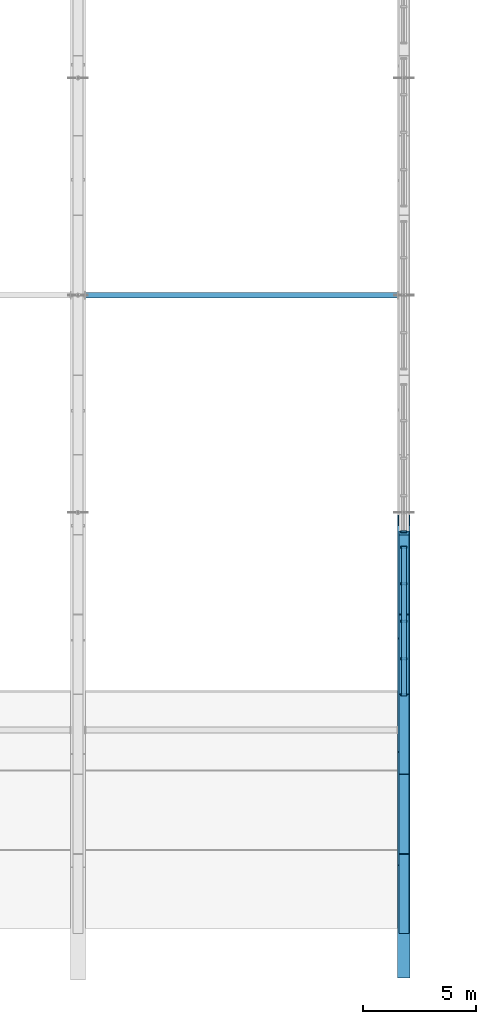
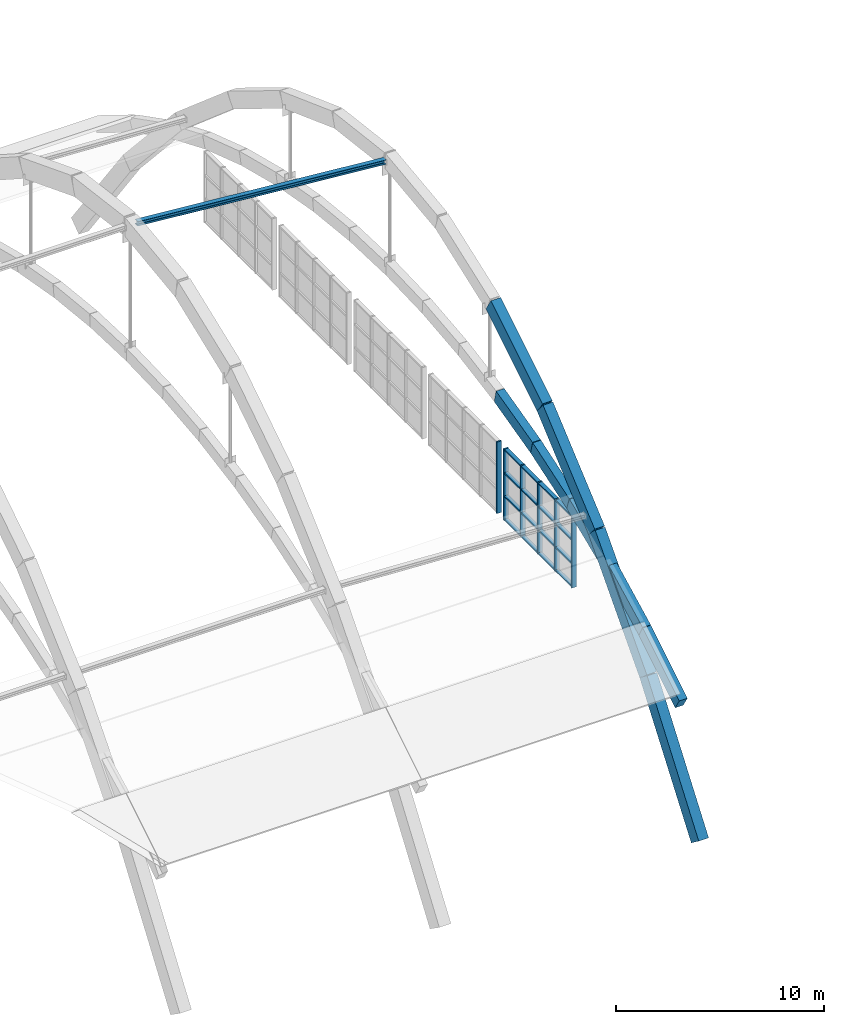
# One storey, part 23 of 64: 15 members, 5 beams, 2 elements without a shape of their own.
"""IFC4 building model written with IfcOpenShell, lengths in metres."""

from ifc_helpers import new_model, si_unit, direction, frame, origin, origin_2d, place, context, subcontext, project, spatial, rectangle, hollow_rectangle, i_section, extrude, material, material_profile, profile_set, type_object, element, aggregate, save


model = new_model("IFC4")

# Units and contexts
model_context = context("Model", 3, precision=1e-05, world=origin(), true_north=direction((0.0, 1.0)))
body_context = subcontext(model_context, "Body", "Model", "MODEL_VIEW")
ifc_project = project(units=[si_unit("LENGTHUNIT", "METRE"), si_unit("AREAUNIT", "SQUARE_METRE"), si_unit("VOLUMEUNIT", "CUBIC_METRE"), si_unit("PLANEANGLEUNIT", "RADIAN"), si_unit("MASSUNIT", "GRAM", prefix="KILO")], contexts=[model_context])

# Site, building, storey
site_placement = place(None, origin())
site = spatial("IfcSite", under=ifc_project, at=site_placement, CompositionType="ELEMENT")
building_placement = place(site_placement, origin())
building = spatial("IfcBuilding", under=site, at=building_placement, Name="Leyfeld Transit Interchange", CompositionType="ELEMENT")
storey_placement = place(building_placement, frame((0.0, 0.0, 9.60009765625)))
storey = spatial("IfcBuildingStorey", under=building, at=storey_placement, Name="L02", CompositionType="ELEMENT", Elevation=9.60009765625)

# Beams
ifc_material_1 = material(Name="Concrete C40/50", Category="concrete")
ifc_material_profile_1 = material_profile(ifc_material_1, rectangle(XDim=0.449951171875, YDim=0.75, at=origin_2d()), Name="RC 750x450 RIB")
ifc_profile_set_1 = profile_set([ifc_material_profile_1], Name="Concrete C40/50")
beam_type = type_object("IfcBeamType", Name="BM-RIB-750x450", PredefinedType="USERDEFINED", material=ifc_profile_set_1)
beam_1_placement = place(storey_placement, frame((100.800048828125, 4.39990234375, -1.135009765625), z_axis=(0.0, 0.850840137882, 0.525424647089), x_axis=(-1.0, 0.0, 0.0)))
element("IfcBeam", 1, at=beam_1_placement, inside=storey, type_object=beam_type, Name="Concourse Vault Rib A8 Seg 1", ObjectType="ARCH_RIB", PredefinedType="USERDEFINED", context=body_context, shape_type="SweptSolid", body=[
    extrude(rectangle(XDim=0.449951171875, YDim=0.75, at=origin_2d()), origin(), (0.0, 0.0, 1.0), 4.113525390625),
])
beam_2_placement = place(storey_placement, frame((100.800048828125, 7.89990234375, 1.0263671875), z_axis=(0.0, 0.890316086289, 0.455343020694), x_axis=(-1.0, 0.0, 0.0)))
element("IfcBeam", 2, at=beam_2_placement, inside=storey, type_object=beam_type, Name="Concourse Vault Rib A8 Seg 2", ObjectType="ARCH_RIB", PredefinedType="USERDEFINED", context=body_context, shape_type="SweptSolid", body=[
    extrude(rectangle(XDim=0.449951171875, YDim=0.75, at=origin_2d()), origin(), (0.0, 0.0, 1.0), 3.93115234375),
])
beam_3_placement = place(storey_placement, frame((100.800048828125, 11.39990234375, 2.81640625), z_axis=(0.0, 0.922787193718, 0.385309998716), x_axis=(-1.0, 0.0, 0.0)))
element("IfcBeam", 3, at=beam_3_placement, inside=storey, type_object=beam_type, Name="Concourse Vault Rib A8 Seg 3", ObjectType="ARCH_RIB", PredefinedType="USERDEFINED", context=body_context, shape_type="SweptSolid", body=[
    extrude(rectangle(XDim=0.449951171875, YDim=0.75, at=origin_2d()), origin(), (0.0, 0.0, 1.0), 3.79296875),
])
beam_4_placement = place(storey_placement, frame((100.800048828125, 14.89990234375, 4.27783203125), z_axis=(0.0, 0.949033570575, 0.315175002058), x_axis=(-1.0, 0.0, 0.0)))
element("IfcBeam", 4, at=beam_4_placement, inside=storey, type_object=beam_type, Name="Concourse Vault Rib A8 Seg 4", ObjectType="ARCH_RIB", PredefinedType="USERDEFINED", context=body_context, shape_type="SweptSolid", body=[
    extrude(rectangle(XDim=0.449951171875, YDim=0.75, at=origin_2d()), origin(), (0.0, 0.0, 1.0), 3.68798828125),
])
beam_5_placement = place(storey_placement, frame((100.800048828125, 18.39990234375, 5.440185546875), z_axis=(0.0, 0.969486598247, 0.245144316312), x_axis=(-1.0, 0.0, 0.0)))
element("IfcBeam", 5, at=beam_5_placement, inside=storey, type_object=beam_type, Name="Concourse Vault Rib A8 Seg 5", ObjectType="ARCH_RIB", PredefinedType="USERDEFINED", context=body_context, shape_type="SweptSolid", body=[
    extrude(rectangle(XDim=0.449951171875, YDim=0.75, at=origin_2d()), origin(), (0.0, 0.0, 1.0), 3.610107421875),
])

# Curtain wall, members
ifc_material_2 = material(Name="Anodised aluminium EN AW-6060 T66", Category="aluminium")
curtain_wall_type = type_object("IfcCurtainWallType", Name="CW-SYS-GAB-7200", PredefinedType="NOTDEFINED", material=ifc_material_2)
curtain_wall_1_placement = place(storey_placement, origin())
curtain_wall_1 = element("IfcCurtainWall", 6, at=curtain_wall_1_placement, inside=storey, type_object=curtain_wall_type, Name="Curtain Wall CW-L02-GABE-01", PredefinedType="NOTDEFINED")
ifc_material_profile_2 = material_profile(ifc_material_2, rectangle(XDim=0.0849609375, YDim=0.260009765625, at=origin_2d()), Name="CW-M 85x260")
ifc_profile_set_2 = profile_set([ifc_material_profile_2], Name="Anodised aluminium EN AW-6060 T66")
member_type_1 = type_object("IfcMemberType", Name="CW-MUL-220x80", PredefinedType="MULLION", material=ifc_profile_set_2)
member_1_placement = place(storey_placement, frame((100.800048828125, 14.742431640625, -0.60009765625), z_axis=(0.0, 0.0, 1.0), x_axis=(0.0, 1.0, 0.0)))
member_1 = element("IfcMember", 7, at=member_1_placement, type_object=member_type_1, Name="Curtain Mullion CW-L02-GABE-01-M01", PredefinedType="MULLION", context=body_context, shape_type="SweptSolid", body=[
    extrude(rectangle(XDim=0.0849609375, YDim=0.260009765625, at=origin_2d()), origin(), (0.0, 0.0, 1.0), 4.199951171875),
])
member_2_placement = place(storey_placement, frame((100.800048828125, 16.35009765625, -0.60009765625), z_axis=(0.0, 0.0, 1.0), x_axis=(0.0, 1.0, 0.0)))
member_2 = element("IfcMember", 8, at=member_2_placement, type_object=member_type_1, Name="Curtain Mullion CW-L02-GABE-01-M02", PredefinedType="MULLION", context=body_context, shape_type="SweptSolid", body=[
    extrude(rectangle(XDim=0.0849609375, YDim=0.260009765625, at=origin_2d()), origin(), (0.0, 0.0, 1.0), 4.199951171875),
])
member_3_placement = place(storey_placement, frame((100.800048828125, 18.0, -0.60009765625), z_axis=(0.0, 0.0, 1.0), x_axis=(0.0, 1.0, 0.0)))
member_3 = element("IfcMember", 9, at=member_3_placement, type_object=member_type_1, Name="Curtain Mullion CW-L02-GABE-01-M03", PredefinedType="MULLION", context=body_context, shape_type="SweptSolid", body=[
    extrude(rectangle(XDim=0.0849609375, YDim=0.260009765625, at=origin_2d()), origin(), (0.0, 0.0, 1.0), 4.199951171875),
])
member_4_placement = place(storey_placement, frame((100.800048828125, 19.64990234375, -0.60009765625), z_axis=(0.0, 0.0, 1.0), x_axis=(0.0, 1.0, 0.0)))
member_4 = element("IfcMember", 10, at=member_4_placement, type_object=member_type_1, Name="Curtain Mullion CW-L02-GABE-01-M04", PredefinedType="MULLION", context=body_context, shape_type="SweptSolid", body=[
    extrude(rectangle(XDim=0.0849609375, YDim=0.260009765625, at=origin_2d()), origin(), (0.0, 0.0, 1.0), 4.199951171875),
])
member_5_placement = place(storey_placement, frame((100.800048828125, 21.257568359375, -0.60009765625), z_axis=(0.0, 0.0, 1.0), x_axis=(0.0, 1.0, 0.0)))
member_5 = element("IfcMember", 11, at=member_5_placement, type_object=member_type_1, Name="Curtain Mullion CW-L02-GABE-01-M05", PredefinedType="MULLION", context=body_context, shape_type="SweptSolid", body=[
    extrude(rectangle(XDim=0.0849609375, YDim=0.260009765625, at=origin_2d()), origin(), (0.0, 0.0, 1.0), 4.199951171875),
])

# Curtain wall, member
curtain_wall_2_placement = place(storey_placement, origin())
curtain_wall_2 = element("IfcCurtainWall", 12, at=curtain_wall_2_placement, inside=storey, type_object=curtain_wall_type, Name="Curtain Wall CW-L02-GABE-02", PredefinedType="NOTDEFINED")
member_6_placement = place(storey_placement, frame((100.800048828125, 21.9423828125, -0.60009765625), z_axis=(0.0, 0.0, 1.0), x_axis=(0.0, 1.0, 0.0)))
member_6 = element("IfcMember", 13, at=member_6_placement, type_object=member_type_1, Name="Curtain Mullion CW-L02-GABE-02-M01", PredefinedType="MULLION", context=body_context, shape_type="SweptSolid", body=[
    extrude(rectangle(XDim=0.0849609375, YDim=0.260009765625, at=origin_2d()), origin(), (0.0, 0.0, 1.0), 4.199951171875),
])
aggregate(curtain_wall_2, [member_6])

# Member
ifc_material_profile_3 = material_profile(ifc_material_2, rectangle(XDim=0.2099609375, YDim=0.0849609375, at=origin_2d()), Name="CW-TRN-200x80")
ifc_profile_set_3 = profile_set([ifc_material_profile_3], Name="Anodised aluminium EN AW-6060 T66")
member_type_2 = type_object("IfcMemberType", Name="CW-TRN-200x80", PredefinedType="USERDEFINED", material=ifc_profile_set_3)
member_7_placement = place(storey_placement, frame((100.800048828125, 14.699951171875, -0.5576171875), z_axis=(0.0, 1.0, 0.0), x_axis=(-1.0, 0.0, 0.0)))
member_7 = element("IfcMember", 14, at=member_7_placement, type_object=member_type_2, Name="Curtain Transom CW-L02-GABE-01-T01", ObjectType="TRANSOM", PredefinedType="USERDEFINED", context=body_context, shape_type="SweptSolid", body=[
    extrude(rectangle(XDim=0.2099609375, YDim=0.0849609375, at=origin_2d()), origin(), (0.0, 0.0, 1.0), 6.60009765625),
])

member_8_placement = place(storey_placement, frame((100.800048828125, 14.699951171875, 0.814208984375), z_axis=(0.0, 1.0, 0.0), x_axis=(-1.0, 0.0, 0.0)))
member_8 = element("IfcMember", 15, at=member_8_placement, type_object=member_type_2, Name="Curtain Transom CW-L02-GABE-01-T02", ObjectType="TRANSOM", PredefinedType="USERDEFINED", context=body_context, shape_type="SweptSolid", body=[
    extrude(rectangle(XDim=0.2099609375, YDim=0.0849609375, at=origin_2d()), origin(), (0.0, 0.0, 1.0), 6.60009765625),
])

member_9_placement = place(storey_placement, frame((100.800048828125, 14.699951171875, 2.185791015625), z_axis=(0.0, 1.0, 0.0), x_axis=(-1.0, 0.0, 0.0)))
member_9 = element("IfcMember", 16, at=member_9_placement, type_object=member_type_2, Name="Curtain Transom CW-L02-GABE-01-T03", ObjectType="TRANSOM", PredefinedType="USERDEFINED", context=body_context, shape_type="SweptSolid", body=[
    extrude(rectangle(XDim=0.2099609375, YDim=0.0849609375, at=origin_2d()), origin(), (0.0, 0.0, 1.0), 6.60009765625),
])

member_10_placement = place(storey_placement, frame((100.800048828125, 14.699951171875, 3.557373046875), z_axis=(0.0, 1.0, 0.0), x_axis=(-1.0, 0.0, 0.0)))
member_10 = element("IfcMember", 17, at=member_10_placement, type_object=member_type_2, Name="Curtain Transom CW-L02-GABE-01-T04", ObjectType="TRANSOM", PredefinedType="USERDEFINED", context=body_context, shape_type="SweptSolid", body=[
    extrude(rectangle(XDim=0.2099609375, YDim=0.0849609375, at=origin_2d()), origin(), (0.0, 0.0, 1.0), 6.60009765625),
])

aggregate(curtain_wall_1, [member_1, member_2, member_3, member_4, member_5, member_7, member_8, member_9, member_10])

# Members
ifc_material_3 = material(Name="Steel S355J2 - Ochre Arch", Category="steel")
ifc_material_profile_4 = material_profile(ifc_material_3, hollow_rectangle(XDim=0.550048828125, YDim=0.89990234375, WallThickness=0.031982421875, at=origin_2d()), Name="RHS 900x550x32")
ifc_profile_set_4 = profile_set([ifc_material_profile_4], Name="Steel S355J2 - Ochre Arch")
member_type_3 = type_object("IfcMemberType", Name="MEM-ARCH-900", PredefinedType="USERDEFINED", material=ifc_profile_set_4)
member_11_placement = place(storey_placement, frame((100.800048828125, 2.60009765625, -8.10009765625), z_axis=(0.0, 0.595984669324, 0.802995811901), x_axis=(-1.0, 0.0, 0.0)))
element("IfcMember", 18, at=member_11_placement, inside=storey, type_object=member_type_3, Name="Primary Steel Arch GP-E Seg 1", ObjectType="ARCH_SEGMENT", PredefinedType="USERDEFINED", context=body_context, shape_type="SweptSolid", body=[
    extrude(hollow_rectangle(XDim=0.550048828125, YDim=0.89990234375, WallThickness=0.031982421875, at=origin_2d()), origin(), (0.0, 0.0, 1.0), 8.333251953125),
])
member_12_placement = place(storey_placement, frame((100.800048828125, 7.566650390625, -1.408447265625), z_axis=(0.0, 0.671888263197, 0.740652524318), x_axis=(-1.0, 0.0, 0.0)))
element("IfcMember", 19, at=member_12_placement, inside=storey, type_object=member_type_3, Name="Primary Steel Arch GP-E Seg 2", ObjectType="ARCH_SEGMENT", PredefinedType="USERDEFINED", context=body_context, shape_type="SweptSolid", body=[
    extrude(hollow_rectangle(XDim=0.550048828125, YDim=0.89990234375, WallThickness=0.031982421875, at=origin_2d()), origin(), (0.0, 0.0, 1.0), 7.391845703125),
])
member_13_placement = place(storey_placement, frame((100.800048828125, 12.533203125, 4.06640625), z_axis=(0.0, 0.759159132928, 0.650905070569), x_axis=(-1.0, 0.0, 0.0)))
element("IfcMember", 20, at=member_13_placement, inside=storey, type_object=member_type_3, Name="Primary Steel Arch GP-E Seg 3", ObjectType="ARCH_SEGMENT", PredefinedType="USERDEFINED", context=body_context, shape_type="SweptSolid", body=[
    extrude(hollow_rectangle(XDim=0.550048828125, YDim=0.89990234375, WallThickness=0.031982421875, at=origin_2d()), origin(), (0.0, 0.0, 1.0), 6.54248046875),
])
member_14_placement = place(storey_placement, frame((100.800048828125, 17.5, 8.324951171875), z_axis=(0.0, 0.852786153257, 0.522260257738), x_axis=(-1.0, 0.0, 0.0)))
element("IfcMember", 21, at=member_14_placement, inside=storey, type_object=member_type_3, Name="Primary Steel Arch GP-E Seg 4", ObjectType="ARCH_SEGMENT", PredefinedType="USERDEFINED", context=body_context, shape_type="SweptSolid", body=[
    extrude(hollow_rectangle(XDim=0.550048828125, YDim=0.89990234375, WallThickness=0.031982421875, at=origin_2d()), origin(), (0.0, 0.0, 1.0), 5.82421875),
])
ifc_material_4 = material(Name="Steel S355J2", Category="steel")
ifc_material_profile_5 = material_profile(ifc_material_4, i_section(OverallWidth=0.260009765625, OverallDepth=0.260009765625, WebThickness=0.010009765625, FlangeThickness=0.017578125, FilletRadius=0.02392578125, at=origin_2d()), Name="HEB 260")
ifc_profile_set_5 = profile_set([ifc_material_profile_5], Name="Steel S355J2")
member_type_4 = type_object("IfcMemberType", Name="MEM-CHD-HEB260", PredefinedType="CHORD", material=ifc_profile_set_5)
member_15_placement = place(storey_placement, frame((86.72509765625, 32.39990234375, 15.0), z_axis=(0.996239265373, 0.0, -0.086644827482), x_axis=(0.0, 1.0, 0.0)))
element("IfcMember", 22, at=member_15_placement, inside=storey, type_object=member_type_4, Name="Arch Longitudinal Tie Chord B7 T2", PredefinedType="CHORD", context=body_context, shape_type="SweptSolid", body=[
    extrude(i_section(OverallWidth=0.260009765625, OverallDepth=0.260009765625, WebThickness=0.010009765625, FlangeThickness=0.017578125, FilletRadius=0.02392578125, at=origin_2d()), origin(), (0.0, 0.0, 1.0), 13.851806640625),
])

save(model, "model.ifc")
